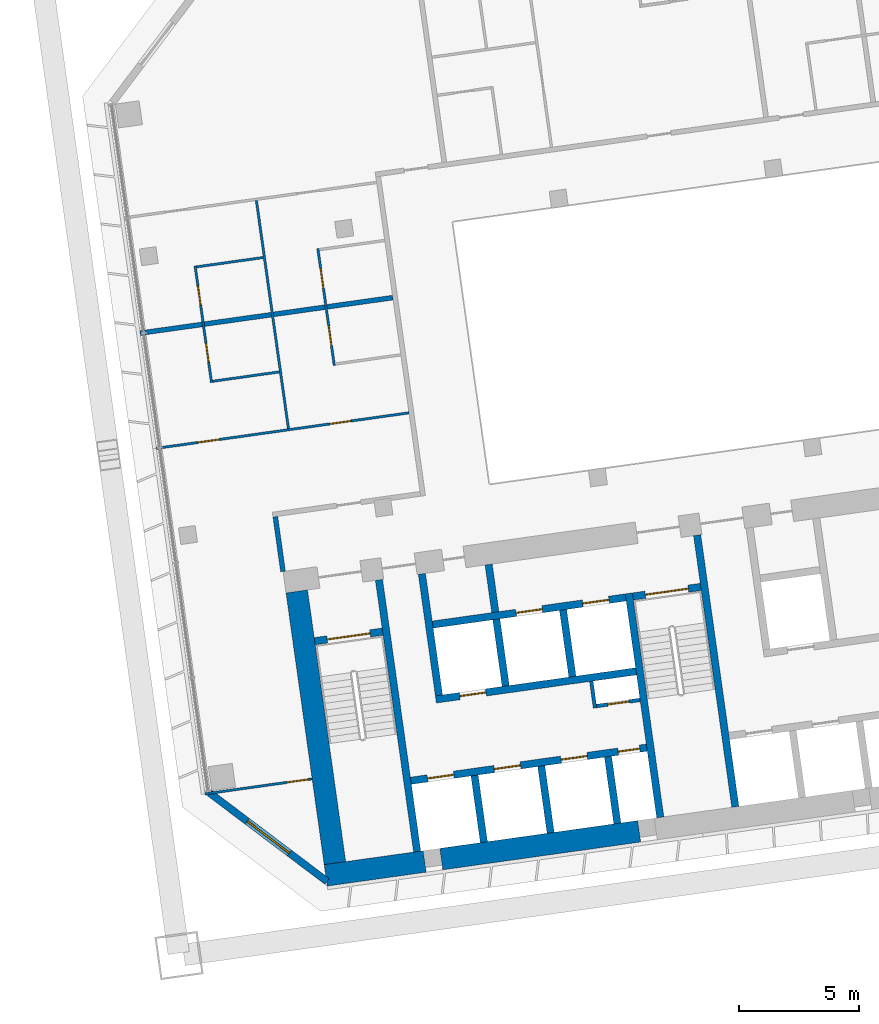
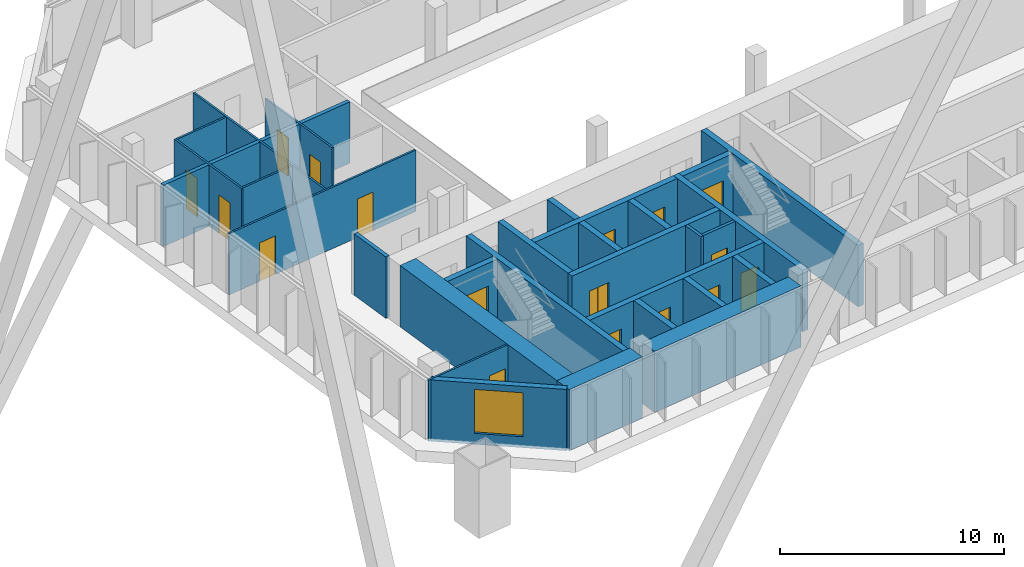
# One storey, part 43 of 49: 30 walls, 17 doors, 1 window, 18 openings.
"""IFC4 building model written with IfcOpenShell, lengths in metres."""

from ifc_helpers import new_model, si_unit, direction, frame, frame_2d, origin, place, context, subcontext, project, spatial, rectangle, extrude, material, layer, layer_set, type_object, element, fill, save


model = new_model("IFC4")

# Units and contexts
model_context = context("Model", 3, precision=1e-05, world=origin(), true_north=direction((0.0, 1.0)))
body_context = subcontext(model_context, "Body", "Model", "MODEL_VIEW")
ifc_project = project(units=[si_unit("LENGTHUNIT", "METRE"), si_unit("AREAUNIT", "SQUARE_METRE"), si_unit("VOLUMEUNIT", "CUBIC_METRE"), si_unit("PLANEANGLEUNIT", "RADIAN"), si_unit("MASSUNIT", "GRAM", prefix="KILO")], contexts=[model_context])

# Site, building, storey
site_placement = place(None, origin())
site = spatial("IfcSite", under=ifc_project, at=site_placement, CompositionType="ELEMENT")
building_placement = place(site_placement, origin())
building = spatial("IfcBuilding", under=site, at=building_placement, Name="Mirante Cascada Hotel Towers", CompositionType="ELEMENT")
storey_placement = place(building_placement, frame((0.0, 0.0, 66.1)))
storey = spatial("IfcBuildingStorey", under=building, at=storey_placement, Name="L13", CompositionType="ELEMENT", Elevation=66.1)

# Walls
ifc_material_1 = material(Name="Fire-rated plasterboard on metal studs")
ifc_layer_1 = layer(ifc_material_1, 0.2)
ifc_layer_set_1 = layer_set([ifc_layer_1], Name="Compartment wall 200 EI 120")
wall_type_1 = type_object("IfcWallType", Name="Compartment wall 200 EI 120", PredefinedType="PARTITIONING", material=ifc_layer_set_1)
wall_1_placement = place(storey_placement, frame((29.3273, 2.7863, 0.0), z_axis=(0.0, 0.0, 1.0), x_axis=(0.9902686, 0.1391691, 0.0)))
element("IfcWall", 1, at=wall_1_placement, inside=storey, type_object=wall_type_1, Name="Wall 2-L13-12", PredefinedType="PARTITIONING", context=body_context, shape_type="SweptSolid", body=[
    extrude(rectangle(XDim=10.6001, YDim=0.2, at=frame_2d((5.3, 0.0))), origin(), (0.0, 0.0, 1.0), 3.35),
])
wall_2_placement = place(storey_placement, frame((35.2634, -7.1173, 0.0), z_axis=(0.0, 0.0, 1.0), x_axis=(-0.1391749, 0.9902678, 0.0)))
element("IfcWall", 2, at=wall_2_placement, inside=storey, type_object=wall_type_1, Name="Wall 2-L13-32", PredefinedType="PARTITIONING", context=body_context, shape_type="SweptSolid", body=[
    extrude(rectangle(XDim=2.3, YDim=0.2, at=frame_2d((1.15, 0.0))), origin(), (0.0, 0.0, 1.0), 3.35),
])
ifc_material_2 = material(Name="Masonry block", Category="masonry")
ifc_layer_2 = layer(ifc_material_2, 0.15)
ifc_layer_set_2 = layer_set([ifc_layer_2], Name="Core room partition 150 block EI 30")
wall_type_2 = type_object("IfcWallType", Name="Core room partition 150 block EI 30", PredefinedType="PARTITIONING", material=ifc_layer_set_2)
wall_3_placement = place(storey_placement, frame((48.2295, -12.793, 0.0), z_axis=(0.0, 0.0, 1.0), x_axis=(-0.1391935, 0.9902652, 0.0)))
element("IfcWall", 3, at=wall_3_placement, inside=storey, type_object=wall_type_2, Name="Core wall partition T2 L13 2", PredefinedType="PARTITIONING", context=body_context, shape_type="SweptSolid", body=[
    extrude(rectangle(XDim=1.1251, YDim=0.15, at=frame_2d((0.5626, 0.0))), origin(), (0.0, 0.0, 1.0), 3.35),
])

# Wall, opening, door
wall_4_placement = place(storey_placement, frame((48.2933, -12.7083, 0.0), z_axis=(0.0, 0.0, 1.0), x_axis=(0.990268, 0.1391734, 0.0)))
wall_4 = element("IfcWall", 4, at=wall_4_placement, inside=storey, type_object=wall_type_2, Name="Core wall partition T2 L13 3", PredefinedType="PARTITIONING", context=body_context, shape_type="SweptSolid", body=[
    extrude(rectangle(XDim=1.8251, YDim=0.15, at=frame_2d((0.9126, 0.0))), origin(), (0.0, 0.0, 1.0), 3.35),
])
opening_1_placement = place(wall_4_placement, frame((0.4625, 0.0, 0.0)))
opening_1 = element("IfcOpeningElement", 5, at=opening_1_placement, cuts=wall_4, Name="Opening D2-13-C23", PredefinedType="OPENING", context=body_context, shape_type="SweptSolid", body=[
    extrude(rectangle(XDim=0.9, YDim=2.1, at=frame_2d((0.45, 1.05))), frame((0.0, 0.075, 0.0), z_axis=(0.0, -1.0, 0.0), x_axis=(1.0, 0.0, 0.0)), (0.0, 0.0, 1.0), 0.15),
])
ifc_material_3 = material(Name="Hollow metal fire door leaf")
door_type_1 = type_object("IfcDoorType", Name="Fire door 900x2100 FD60", OperationType="NOTDEFINED", PredefinedType="DOOR", material=ifc_material_3)
door_1_placement = place(opening_1_placement, frame((0.9, 0.0, 0.0), z_axis=(0.0, 0.0, 1.0), x_axis=(-1.0, 0.0, 0.0)))
door_1 = element("IfcDoor", 6, at=door_1_placement, inside=storey, type_object=door_type_1, Name="Riser door T2 L13 23", OperationType="SINGLE_SWING_RIGHT", OverallHeight=2.1, OverallWidth=0.9, PredefinedType="DOOR", context=body_context, shape_type="SweptSolid", body=[
    extrude(rectangle(XDim=0.9, YDim=2.1, at=frame_2d((0.45, 1.05))), frame((0.0, 0.025, 0.0), z_axis=(0.0, -1.0, 0.0), x_axis=(1.0, 0.0, 0.0)), (0.0, 0.0, 1.0), 0.05),
])
fill(opening_1, door_1)

# Wall
ifc_material_4 = material(Name="Masonry block", Category="masonry")
ifc_layer_3 = layer(ifc_material_4, 0.3)
ifc_layer_set_3 = layer_set([ifc_layer_3], Name="Core wall 300 block EI 120")
wall_type_3 = type_object("IfcWallType", Name="Core wall 300 block EI 120", PredefinedType="PARTITIONING", material=ifc_layer_set_3)
wall_5_placement = place(storey_placement, frame((44.0843, -8.8061, 0.0), z_axis=(0.0, 0.0, 1.0), x_axis=(-0.1391951, 0.990265, 0.0)))
element("IfcWall", 7, at=wall_5_placement, inside=storey, type_object=wall_type_3, Name="Core wall partition T2 L13 1", PredefinedType="PARTITIONING", context=body_context, shape_type="SweptSolid", body=[
    extrude(rectangle(XDim=2.0001, YDim=0.3, at=frame_2d((1.0001, 0.0))), origin(), (0.0, 0.0, 1.0), 3.35),
])

# Wall, opening, door
ifc_material_5 = material(Name="Plasterboard on metal studs")
ifc_layer_4 = layer(ifc_material_5, 0.1)
ifc_layer_set_4 = layer_set([ifc_layer_4], Name="Partition 100")
wall_type_4 = type_object("IfcWallType", Name="Partition 100", PredefinedType="PARTITIONING", material=ifc_layer_set_4)
wall_6_placement = place(storey_placement, frame((36.4742, -15.7326, 0.0), z_axis=(0.0, 0.0, 1.0), x_axis=(-0.9902674, -0.1391779, 0.0)))
wall_6 = element("IfcWall", 8, at=wall_6_placement, inside=storey, type_object=wall_type_4, Name="Wall 2-L13-01", PredefinedType="PARTITIONING", context=body_context, shape_type="SweptSolid", body=[
    extrude(rectangle(XDim=4.5, YDim=0.1, at=frame_2d((2.25, 0.0))), origin(), (0.0, 0.0, 1.0), 3.35),
])
opening_2_placement = place(wall_6_placement, frame((0.15, 0.0, 0.0)))
opening_2 = element("IfcOpeningElement", 9, at=opening_2_placement, cuts=wall_6, Name="Opening D2-L13-01", PredefinedType="OPENING", context=body_context, shape_type="SweptSolid", body=[
    extrude(rectangle(XDim=0.9, YDim=2.1, at=frame_2d((0.45, 1.05))), frame((0.0, 0.05, 0.0), z_axis=(0.0, -1.0, 0.0), x_axis=(1.0, 0.0, 0.0)), (0.0, 0.0, 1.0), 0.1),
])
ifc_material_6 = material(Name="Timber door leaf", Category="wood")
door_type_2 = type_object("IfcDoorType", Name="Room door DG3 900x2100", OperationType="SINGLE_SWING_LEFT", PredefinedType="DOOR", material=ifc_material_6)
door_2_placement = place(opening_2_placement, frame((0.9, 0.0, 0.0), z_axis=(0.0, 0.0, 1.0), x_axis=(-1.0, 0.0, 0.0)))
door_2 = element("IfcDoor", 10, at=door_2_placement, inside=storey, type_object=door_type_2, Name="Door D2-L13-01", OperationType="SINGLE_SWING_RIGHT", OverallHeight=2.1, OverallWidth=0.9, PredefinedType="DOOR", context=body_context, shape_type="SweptSolid", body=[
    extrude(rectangle(XDim=0.9, YDim=2.1, at=frame_2d((0.45, 1.05))), frame((0.0, 0.025, 0.0), z_axis=(0.0, -1.0, 0.0), x_axis=(1.0, 0.0, 0.0)), (0.0, 0.0, 1.0), 0.05),
])
fill(opening_2, door_2)

# Wall, openings, doors
wall_7_placement = place(storey_placement, frame((40.4968, -0.5248, 0.0), z_axis=(0.0, 0.0, 1.0), x_axis=(-0.9902684, -0.1391704, 0.0)))
wall_7 = element("IfcWall", 11, at=wall_7_placement, inside=storey, type_object=wall_type_4, Name="Wall 2-L13-07", PredefinedType="PARTITIONING", context=body_context, shape_type="SweptSolid", body=[
    extrude(rectangle(XDim=10.6, YDim=0.1, at=frame_2d((5.3, 0.0))), origin(), (0.0, 0.0, 1.0), 3.35),
])
opening_3_placement = place(wall_7_placement, frame((7.975, 0.0, 0.0)))
opening_3 = element("IfcOpeningElement", 12, at=opening_3_placement, cuts=wall_7, Name="Opening D2-L13-06", PredefinedType="OPENING", context=body_context, shape_type="SweptSolid", body=[
    extrude(rectangle(XDim=0.9, YDim=2.1, at=frame_2d((0.45, 1.05))), frame((0.0, 0.05, 0.0), z_axis=(0.0, -1.0, 0.0), x_axis=(1.0, 0.0, 0.0)), (0.0, 0.0, 1.0), 0.1),
])
opening_4_placement = place(wall_7_placement, frame((2.425, 0.0, 0.0)))
opening_4 = element("IfcOpeningElement", 13, at=opening_4_placement, cuts=wall_7, Name="Opening D2-L13-07", PredefinedType="OPENING", context=body_context, shape_type="SweptSolid", body=[
    extrude(rectangle(XDim=0.9, YDim=2.1, at=frame_2d((0.45, 1.05))), frame((0.0, 0.05, 0.0), z_axis=(0.0, -1.0, 0.0), x_axis=(1.0, 0.0, 0.0)), (0.0, 0.0, 1.0), 0.1),
])
door_3_placement = place(opening_3_placement, origin())
door_3 = element("IfcDoor", 14, at=door_3_placement, inside=storey, type_object=door_type_2, Name="Door D2-L13-06", OperationType="SINGLE_SWING_LEFT", OverallHeight=2.1, OverallWidth=0.9, PredefinedType="DOOR", context=body_context, shape_type="SweptSolid", body=[
    extrude(rectangle(XDim=0.9, YDim=2.1, at=frame_2d((0.45, 1.05))), frame((0.0, 0.025, 0.0), z_axis=(0.0, -1.0, 0.0), x_axis=(1.0, 0.0, 0.0)), (0.0, 0.0, 1.0), 0.05),
])
fill(opening_3, door_3)
door_4_placement = place(opening_4_placement, origin())
door_4 = element("IfcDoor", 15, at=door_4_placement, inside=storey, type_object=door_type_2, Name="Door D2-L13-07", OperationType="SINGLE_SWING_LEFT", OverallHeight=2.1, OverallWidth=0.9, PredefinedType="DOOR", context=body_context, shape_type="SweptSolid", body=[
    extrude(rectangle(XDim=0.9, YDim=2.1, at=frame_2d((0.45, 1.05))), frame((0.0, 0.025, 0.0), z_axis=(0.0, -1.0, 0.0), x_axis=(1.0, 0.0, 0.0)), (0.0, 0.0, 1.0), 0.05),
])
fill(opening_4, door_4)

# Walls
wall_8_placement = place(storey_placement, frame((32.3351, 0.7854, 0.0), z_axis=(0.0, 0.0, 1.0), x_axis=(0.990267, 0.139181, 0.0)))
element("IfcWall", 16, at=wall_8_placement, inside=storey, type_object=wall_type_4, Name="Wall 2-L13-10", PredefinedType="PARTITIONING", context=body_context, shape_type="SweptSolid", body=[
    extrude(rectangle(XDim=2.8, YDim=0.1, at=frame_2d((1.4, 0.0))), origin(), (0.0, 0.0, 1.0), 3.35),
])
wall_9_placement = place(storey_placement, frame((31.667, 5.5387, 0.0), z_axis=(0.0, 0.0, 1.0), x_axis=(0.9902677, 0.139176, 0.0)))
element("IfcWall", 17, at=wall_9_placement, inside=storey, type_object=wall_type_4, Name="Wall 2-L13-14", PredefinedType="PARTITIONING", context=body_context, shape_type="SweptSolid", body=[
    extrude(rectangle(XDim=2.8001, YDim=0.1, at=frame_2d((1.4, 0.0))), origin(), (0.0, 0.0, 1.0), 3.35),
])

# Wall, openings, doors
wall_10_placement = place(storey_placement, frame((31.6106, 5.5812, 0.0), z_axis=(0.0, 0.0, 1.0), x_axis=(0.1391638, -0.9902694, 0.0)))
wall_10 = element("IfcWall", 18, at=wall_10_placement, inside=storey, type_object=wall_type_4, Name="Wall 2-L13-31", PredefinedType="PARTITIONING", context=body_context, shape_type="SweptSolid", body=[
    extrude(rectangle(XDim=4.9, YDim=0.1, at=frame_2d((2.45, 0.0))), origin(), (0.0, 0.0, 1.0), 3.35),
])
opening_5_placement = place(wall_10_placement, frame((3.25, 0.0, 0.0)))
opening_5 = element("IfcOpeningElement", 19, at=opening_5_placement, cuts=wall_10, Name="Opening D2-L13-30", PredefinedType="OPENING", context=body_context, shape_type="SweptSolid", body=[
    extrude(rectangle(XDim=0.8, YDim=2.1, at=frame_2d((0.4, 1.05))), frame((0.0, 0.05, 0.0), z_axis=(0.0, -1.0, 0.0), x_axis=(1.0, 0.0, 0.0)), (0.0, 0.0, 1.0), 0.1),
])
opening_6_placement = place(wall_10_placement, frame((0.85, 0.0, 0.0)))
opening_6 = element("IfcOpeningElement", 20, at=opening_6_placement, cuts=wall_10, Name="Opening D2-L13-31", PredefinedType="OPENING", context=body_context, shape_type="SweptSolid", body=[
    extrude(rectangle(XDim=0.8, YDim=2.1, at=frame_2d((0.4, 1.05))), frame((0.0, 0.05, 0.0), z_axis=(0.0, -1.0, 0.0), x_axis=(1.0, 0.0, 0.0)), (0.0, 0.0, 1.0), 0.1),
])
ifc_material_7 = material(Name="Timber door leaf", Category="wood")
door_type_3 = type_object("IfcDoorType", Name="Bathroom door DG4 800x2100", OperationType="SINGLE_SWING_LEFT", PredefinedType="DOOR", material=ifc_material_7)
door_5_placement = place(opening_5_placement, origin())
door_5 = element("IfcDoor", 21, at=door_5_placement, inside=storey, type_object=door_type_3, Name="Door D2-L13-30", OperationType="SINGLE_SWING_LEFT", OverallHeight=2.1, OverallWidth=0.8, PredefinedType="DOOR", context=body_context, shape_type="SweptSolid", body=[
    extrude(rectangle(XDim=0.8, YDim=2.1, at=frame_2d((0.4, 1.05))), frame((0.0, 0.025, 0.0), z_axis=(0.0, -1.0, 0.0), x_axis=(1.0, 0.0, 0.0)), (0.0, 0.0, 1.0), 0.05),
])
fill(opening_5, door_5)
door_6_placement = place(opening_6_placement, origin())
door_6 = element("IfcDoor", 22, at=door_6_placement, inside=storey, type_object=door_type_3, Name="Door D2-L13-31", OperationType="SINGLE_SWING_LEFT", OverallHeight=2.1, OverallWidth=0.8, PredefinedType="DOOR", context=body_context, shape_type="SweptSolid", body=[
    extrude(rectangle(XDim=0.8, YDim=2.1, at=frame_2d((0.4, 1.05))), frame((0.0, 0.025, 0.0), z_axis=(0.0, -1.0, 0.0), x_axis=(1.0, 0.0, 0.0)), (0.0, 0.0, 1.0), 0.05),
])
fill(opening_6, door_6)

# Wall
wall_11_placement = place(storey_placement, frame((34.1576, 8.2955, 0.0), z_axis=(0.0, 0.0, 1.0), x_axis=(0.1391703, -0.9902685, 0.0)))
element("IfcWall", 23, at=wall_11_placement, inside=storey, type_object=wall_type_4, Name="Wall 2-L13-33", PredefinedType="PARTITIONING", context=body_context, shape_type="SweptSolid", body=[
    extrude(rectangle(XDim=9.5667, YDim=0.1, at=frame_2d((4.7834, 0.0))), origin(), (0.0, 0.0, 1.0), 3.35),
])

# Wall, openings, doors
wall_12_placement = place(storey_placement, frame((37.3924, 1.4457, 0.0), z_axis=(0.0, 0.0, 1.0), x_axis=(-0.1391638, 0.9902694, 0.0)))
wall_12 = element("IfcWall", 24, at=wall_12_placement, inside=storey, type_object=wall_type_4, Name="Wall 2-L13-34", PredefinedType="PARTITIONING", context=body_context, shape_type="SweptSolid", body=[
    extrude(rectangle(XDim=4.9, YDim=0.1, at=frame_2d((2.45, 0.0))), origin(), (0.0, 0.0, 1.0), 3.35),
])
opening_7_placement = place(wall_12_placement, frame((0.85, 0.0, 0.0)))
opening_7 = element("IfcOpeningElement", 25, at=opening_7_placement, cuts=wall_12, Name="Opening D2-L13-32", PredefinedType="OPENING", context=body_context, shape_type="SweptSolid", body=[
    extrude(rectangle(XDim=0.8, YDim=2.1, at=frame_2d((0.4, 1.05))), frame((0.0, 0.05, 0.0), z_axis=(0.0, -1.0, 0.0), x_axis=(1.0, 0.0, 0.0)), (0.0, 0.0, 1.0), 0.1),
])
opening_8_placement = place(wall_12_placement, frame((3.25, 0.0, 0.0)))
opening_8 = element("IfcOpeningElement", 26, at=opening_8_placement, cuts=wall_12, Name="Opening D2-L13-33", PredefinedType="OPENING", context=body_context, shape_type="SweptSolid", body=[
    extrude(rectangle(XDim=0.8, YDim=2.1, at=frame_2d((0.4, 1.05))), frame((0.0, 0.05, 0.0), z_axis=(0.0, -1.0, 0.0), x_axis=(1.0, 0.0, 0.0)), (0.0, 0.0, 1.0), 0.1),
])
door_7_placement = place(opening_7_placement, frame((0.8, 0.0, 0.0), z_axis=(0.0, 0.0, 1.0), x_axis=(-1.0, 0.0, 0.0)))
door_7 = element("IfcDoor", 27, at=door_7_placement, inside=storey, type_object=door_type_3, Name="Door D2-L13-32", OperationType="SINGLE_SWING_RIGHT", OverallHeight=2.1, OverallWidth=0.8, PredefinedType="DOOR", context=body_context, shape_type="SweptSolid", body=[
    extrude(rectangle(XDim=0.8, YDim=2.1, at=frame_2d((0.4, 1.05))), frame((0.0, 0.025, 0.0), z_axis=(0.0, -1.0, 0.0), x_axis=(1.0, 0.0, 0.0)), (0.0, 0.0, 1.0), 0.05),
])
fill(opening_7, door_7)
door_8_placement = place(opening_8_placement, frame((0.8, 0.0, 0.0), z_axis=(0.0, 0.0, 1.0), x_axis=(-1.0, 0.0, 0.0)))
door_8 = element("IfcDoor", 28, at=door_8_placement, inside=storey, type_object=door_type_3, Name="Door D2-L13-33", OperationType="SINGLE_SWING_RIGHT", OverallHeight=2.1, OverallWidth=0.8, PredefinedType="DOOR", context=body_context, shape_type="SweptSolid", body=[
    extrude(rectangle(XDim=0.8, YDim=2.1, at=frame_2d((0.4, 1.05))), frame((0.0, 0.025, 0.0), z_axis=(0.0, -1.0, 0.0), x_axis=(1.0, 0.0, 0.0)), (0.0, 0.0, 1.0), 0.05),
])
fill(opening_8, door_8)

# Wall, opening, window
ifc_material_8 = material(Name="Precast concrete C40/50", Category="concrete")
ifc_layer_5 = layer(ifc_material_8, 0.3)
ifc_layer_set_5 = layer_set([ifc_layer_5], Name="Precast concrete C40/50 cladding wall 300")
wall_type_5 = type_object("IfcWallType", Name="Precast concrete C40/50 cladding wall 300", PredefinedType="STANDARD", material=ifc_layer_set_5)
wall_13_placement = place(storey_placement, frame((32.2074, -16.3138, 0.0), z_axis=(0.0, 0.0, 1.0), x_axis=(0.7986362, -0.6018141, 0.0)))
wall_13 = element("IfcWall", 29, at=wall_13_placement, inside=storey, type_object=wall_type_5, Name="Corner cladding wall T2 L13 inner rear", PredefinedType="STANDARD", context=body_context, shape_type="SweptSolid", body=[
    extrude(rectangle(XDim=6.1157, YDim=0.3, at=frame_2d((3.0578, 0.0))), origin(), (0.0, 0.0, 1.0), 3.35),
])
opening_9_placement = place(wall_13_placement, frame((1.9578, 0.0, 0.6)))
opening_9 = element("IfcOpeningElement", 30, at=opening_9_placement, cuts=wall_13, Name="Opening W2-13-05", PredefinedType="OPENING", context=body_context, shape_type="SweptSolid", body=[
    extrude(rectangle(XDim=2.2, YDim=2.4, at=frame_2d((1.1, 1.2))), frame((0.0, 0.15, 0.0), z_axis=(0.0, -1.0, 0.0), x_axis=(1.0, 0.0, 0.0)), (0.0, 0.0, 1.0), 0.3),
])
ifc_material_9 = material(Name="Aluminium frame with clear double glazing", Category="aluminium")
window_type = type_object("IfcWindowType", Name="Corner suite window 2200x2400", PartitioningType="DOUBLE_PANEL_VERTICAL", PredefinedType="WINDOW", material=ifc_material_9)
window_placement = place(opening_9_placement, origin())
window = element("IfcWindow", 31, at=window_placement, inside=storey, type_object=window_type, Name="Window W2-13-05", OverallHeight=2.4, OverallWidth=2.2, PartitioningType="SINGLE_PANEL", PredefinedType="WINDOW", context=body_context, shape_type="SweptSolid", body=[
    extrude(rectangle(XDim=2.2, YDim=2.4, at=frame_2d((1.1, 1.2))), frame((0.0, 0.03, 0.0), z_axis=(0.0, -1.0, 0.0), x_axis=(1.0, 0.0, 0.0)), (0.0, 0.0, 1.0), 0.06),
])
fill(opening_9, window)

# Walls
ifc_material_10 = material(Name="Concrete C50/60", Category="concrete")
ifc_layer_6 = layer(ifc_material_10, 0.3)
ifc_layer_set_6 = layer_set([ifc_layer_6], Name="RC core wall 300 C50/60")
wall_type_6 = type_object("IfcWallType", Name="RC core wall 300 C50/60", PredefinedType="SHEAR", material=ifc_layer_set_6)
wall_14_placement = place(storey_placement, frame((40.8373, -18.7548, 0.0), z_axis=(0.0, 0.0, 1.0), x_axis=(-0.1391749, 0.9902678, 0.0)))
element("IfcWall", 32, at=wall_14_placement, inside=storey, type_object=wall_type_6, Name="Core wall T2:L13:5", PredefinedType="SHEAR", context=body_context, shape_type="SweptSolid", body=[
    extrude(rectangle(XDim=11.4, YDim=0.3, at=frame_2d((5.7, 0.0))), origin(), (0.0, 0.0, 1.0), 3.35),
])
wall_15_placement = place(storey_placement, frame((50.938, -17.3352, 0.0), z_axis=(0.0, 0.0, 1.0), x_axis=(-0.1391706, 0.9902684, 0.0)))
element("IfcWall", 33, at=wall_15_placement, inside=storey, type_object=wall_type_6, Name="Core wall T2:L13:6", PredefinedType="SHEAR", context=body_context, shape_type="SweptSolid", body=[
    extrude(rectangle(XDim=9.4, YDim=0.3, at=frame_2d((4.7, 0.0))), origin(), (0.0, 0.0, 1.0), 3.35),
])
wall_16_placement = place(storey_placement, frame((54.0574, -16.8968, 0.0), z_axis=(0.0, 0.0, 1.0), x_axis=(-0.1391761, 0.9902677, 0.0)))
element("IfcWall", 34, at=wall_16_placement, inside=storey, type_object=wall_type_6, Name="Core wall T2:L13:7", PredefinedType="SHEAR", context=body_context, shape_type="SweptSolid", body=[
    extrude(rectangle(XDim=11.3999, YDim=0.3, at=frame_2d((5.7, 0.0))), origin(), (0.0, 0.0, 1.0), 3.35),
])

# Wall, opening, door
wall_17_placement = place(storey_placement, frame((36.5791, -10.0123, 0.0), z_axis=(0.0, 0.0, 1.0), x_axis=(0.9902704, 0.1391564, 0.0)))
wall_17 = element("IfcWall", 35, at=wall_17_placement, inside=storey, type_object=wall_type_6, Name="Core wall T2:L13:9", PredefinedType="SHEAR", context=body_context, shape_type="SweptSolid", body=[
    extrude(rectangle(XDim=2.85, YDim=0.3, at=frame_2d((1.425, 0.0))), origin(), (0.0, 0.0, 1.0), 3.35),
])
opening_10_placement = place(wall_17_placement, frame((0.525, 0.0, 0.0)))
opening_10 = element("IfcOpeningElement", 36, at=opening_10_placement, cuts=wall_17, Name="Opening D2-13-C13", PredefinedType="OPENING", context=body_context, shape_type="SweptSolid", body=[
    extrude(rectangle(XDim=1.8, YDim=2.1, at=frame_2d((0.9, 1.05))), frame((0.0, 0.15, 0.0), z_axis=(0.0, -1.0, 0.0), x_axis=(1.0, 0.0, 0.0)), (0.0, 0.0, 1.0), 0.3),
])
ifc_material_11 = material(Name="Hollow metal fire door leaf")
door_type_4 = type_object("IfcDoorType", Name="Double fire door 1800x2100 FD60", OperationType="DOUBLE_DOOR_SINGLE_SWING", PredefinedType="DOOR", material=ifc_material_11)
door_9_placement = place(opening_10_placement, frame((1.8, 0.0, 0.0), z_axis=(0.0, 0.0, 1.0), x_axis=(-1.0, 0.0, 0.0)))
door_9 = element("IfcDoor", 37, at=door_9_placement, inside=storey, type_object=door_type_4, Name="Stair door T2 L13 13", OperationType="DOUBLE_DOOR_SINGLE_SWING", OverallHeight=2.1, OverallWidth=1.8, PredefinedType="DOOR", context=body_context, shape_type="SweptSolid", body=[
    extrude(rectangle(XDim=0.895, YDim=2.1, at=frame_2d((0.4475, 1.05))), frame((0.0, 0.025, 0.0), z_axis=(0.0, -1.0, 0.0), x_axis=(1.0, 0.0, 0.0)), (0.0, 0.0, 1.0), 0.05),
    extrude(rectangle(XDim=0.895, YDim=2.1, at=frame_2d((1.3525, 1.05))), frame((0.0, 0.025, 0.0), z_axis=(0.0, -1.0, 0.0), x_axis=(1.0, 0.0, 0.0)), (0.0, 0.0, 1.0), 0.05),
])
fill(opening_10, door_9)

wall_18_placement = place(storey_placement, frame((49.7992, -8.1544, 0.0), z_axis=(0.0, 0.0, 1.0), x_axis=(0.9902656, 0.1391909, 0.0)))
wall_18 = element("IfcWall", 38, at=wall_18_placement, inside=storey, type_object=wall_type_6, Name="Core wall T2:L13:10", PredefinedType="SHEAR", context=body_context, shape_type="SweptSolid", body=[
    extrude(rectangle(XDim=2.85, YDim=0.3, at=frame_2d((1.425, 0.0))), origin(), (0.0, 0.0, 1.0), 3.35),
])
opening_11_placement = place(wall_18_placement, frame((0.525, 0.0, 0.0)))
opening_11 = element("IfcOpeningElement", 39, at=opening_11_placement, cuts=wall_18, Name="Opening D2-13-C15", PredefinedType="OPENING", context=body_context, shape_type="SweptSolid", body=[
    extrude(rectangle(XDim=1.8, YDim=2.1, at=frame_2d((0.9, 1.05))), frame((0.0, 0.15, 0.0), z_axis=(0.0, -1.0, 0.0), x_axis=(1.0, 0.0, 0.0)), (0.0, 0.0, 1.0), 0.3),
])
door_10_placement = place(opening_11_placement, frame((1.8, 0.0, 0.0), z_axis=(0.0, 0.0, 1.0), x_axis=(-1.0, 0.0, 0.0)))
door_10 = element("IfcDoor", 40, at=door_10_placement, inside=storey, type_object=door_type_4, Name="Stair door T2 L13 15", OperationType="DOUBLE_DOOR_SINGLE_SWING", OverallHeight=2.1, OverallWidth=1.8, PredefinedType="DOOR", context=body_context, shape_type="SweptSolid", body=[
    extrude(rectangle(XDim=0.895, YDim=2.1, at=frame_2d((0.4475, 1.05))), frame((0.0, 0.025, 0.0), z_axis=(0.0, -1.0, 0.0), x_axis=(1.0, 0.0, 0.0)), (0.0, 0.0, 1.0), 0.05),
    extrude(rectangle(XDim=0.895, YDim=2.1, at=frame_2d((1.3525, 1.05))), frame((0.0, 0.025, 0.0), z_axis=(0.0, -1.0, 0.0), x_axis=(1.0, 0.0, 0.0)), (0.0, 0.0, 1.0), 0.05),
])
fill(opening_11, door_10)

# Wall, openings, doors
wall_19_placement = place(storey_placement, frame((40.5753, -15.8126, 0.0), z_axis=(0.0, 0.0, 1.0), x_axis=(0.9902682, 0.1391725, 0.0)))
wall_19 = element("IfcWall", 41, at=wall_19_placement, inside=storey, type_object=wall_type_6, Name="Core wall T2:L13:12", PredefinedType="SHEAR", context=body_context, shape_type="SweptSolid", body=[
    extrude(rectangle(XDim=9.8999, YDim=0.3, at=frame_2d((4.95, 0.0))), origin(), (0.0, 0.0, 1.0), 3.35),
])
opening_12_placement = place(wall_19_placement, frame((0.7, 0.0, 0.0)))
opening_12 = element("IfcOpeningElement", 42, at=opening_12_placement, cuts=wall_19, Name="Opening LD", PredefinedType="OPENING", context=body_context, shape_type="SweptSolid", body=[
    extrude(rectangle(XDim=1.1, YDim=2.1, at=frame_2d((0.55, 1.05))), frame((0.0, 0.15, 0.0), z_axis=(0.0, -1.0, 0.0), x_axis=(1.0, 0.0, 0.0)), (0.0, 0.0, 1.0), 0.3),
])
opening_13_placement = place(wall_19_placement, frame((3.5, 0.0, 0.0)))
opening_13 = element("IfcOpeningElement", 43, at=opening_13_placement, cuts=wall_19, Name="Opening LD", PredefinedType="OPENING", context=body_context, shape_type="SweptSolid", body=[
    extrude(rectangle(XDim=1.1, YDim=2.1, at=frame_2d((0.55, 1.05))), frame((0.0, 0.15, 0.0), z_axis=(0.0, -1.0, 0.0), x_axis=(1.0, 0.0, 0.0)), (0.0, 0.0, 1.0), 0.3),
])
opening_14_placement = place(wall_19_placement, frame((6.3, 0.0, 0.0)))
opening_14 = element("IfcOpeningElement", 44, at=opening_14_placement, cuts=wall_19, Name="Opening LD", PredefinedType="OPENING", context=body_context, shape_type="SweptSolid", body=[
    extrude(rectangle(XDim=1.1, YDim=2.1, at=frame_2d((0.55, 1.05))), frame((0.0, 0.15, 0.0), z_axis=(0.0, -1.0, 0.0), x_axis=(1.0, 0.0, 0.0)), (0.0, 0.0, 1.0), 0.3),
])
opening_15_placement = place(wall_19_placement, frame((8.7, 0.0, 0.0)))
opening_15 = element("IfcOpeningElement", 45, at=opening_15_placement, cuts=wall_19, Name="Opening D2-13-C22", PredefinedType="OPENING", context=body_context, shape_type="SweptSolid", body=[
    extrude(rectangle(XDim=0.9, YDim=2.1, at=frame_2d((0.45, 1.05))), frame((0.0, 0.15, 0.0), z_axis=(0.0, -1.0, 0.0), x_axis=(1.0, 0.0, 0.0)), (0.0, 0.0, 1.0), 0.3),
])
door_11_placement = place(opening_15_placement, frame((0.9, 0.0, 0.0), z_axis=(0.0, 0.0, 1.0), x_axis=(-1.0, 0.0, 0.0)))
door_11 = element("IfcDoor", 46, at=door_11_placement, inside=storey, type_object=door_type_1, Name="Riser door T2 L13 22", OperationType="SINGLE_SWING_RIGHT", OverallHeight=2.1, OverallWidth=0.9, PredefinedType="DOOR", context=body_context, shape_type="SweptSolid", body=[
    extrude(rectangle(XDim=0.9, YDim=2.1, at=frame_2d((0.45, 1.05))), frame((0.0, 0.025, 0.0), z_axis=(0.0, -1.0, 0.0), x_axis=(1.0, 0.0, 0.0)), (0.0, 0.0, 1.0), 0.05),
])
fill(opening_15, door_11)
ifc_material_12 = material(Name="Stainless steel", Category="steel")
door_type_5 = type_object("IfcDoorType", Name="Lift landing door 1100x2100 EI 120", OperationType="DOUBLE_DOOR_SLIDING", PredefinedType="DOOR", material=ifc_material_12)
door_12_placement = place(opening_12_placement, origin())
door_12 = element("IfcDoor", 47, at=door_12_placement, inside=storey, type_object=door_type_5, Name="Lift landing door HR2-1 L13", OperationType="DOUBLE_DOOR_SLIDING", OverallHeight=2.1, OverallWidth=1.1, PredefinedType="DOOR", context=body_context, shape_type="SweptSolid", body=[
    extrude(rectangle(XDim=0.545, YDim=2.1, at=frame_2d((0.2725, 1.05))), frame((0.0, 0.025, 0.0), z_axis=(0.0, -1.0, 0.0), x_axis=(1.0, 0.0, 0.0)), (0.0, 0.0, 1.0), 0.05),
    extrude(rectangle(XDim=0.545, YDim=2.1, at=frame_2d((0.8275, 1.05))), frame((0.0, 0.025, 0.0), z_axis=(0.0, -1.0, 0.0), x_axis=(1.0, 0.0, 0.0)), (0.0, 0.0, 1.0), 0.05),
])
fill(opening_12, door_12)
door_13_placement = place(opening_13_placement, origin())
door_13 = element("IfcDoor", 48, at=door_13_placement, inside=storey, type_object=door_type_5, Name="Lift landing door HR2-2 L13", OperationType="DOUBLE_DOOR_SLIDING", OverallHeight=2.1, OverallWidth=1.1, PredefinedType="DOOR", context=body_context, shape_type="SweptSolid", body=[
    extrude(rectangle(XDim=0.545, YDim=2.1, at=frame_2d((0.2725, 1.05))), frame((0.0, 0.025, 0.0), z_axis=(0.0, -1.0, 0.0), x_axis=(1.0, 0.0, 0.0)), (0.0, 0.0, 1.0), 0.05),
    extrude(rectangle(XDim=0.545, YDim=2.1, at=frame_2d((0.8275, 1.05))), frame((0.0, 0.025, 0.0), z_axis=(0.0, -1.0, 0.0), x_axis=(1.0, 0.0, 0.0)), (0.0, 0.0, 1.0), 0.05),
])
fill(opening_13, door_13)
door_14_placement = place(opening_14_placement, origin())
door_14 = element("IfcDoor", 49, at=door_14_placement, inside=storey, type_object=door_type_5, Name="Lift landing door HR2-3 L13", OperationType="DOUBLE_DOOR_SLIDING", OverallHeight=2.1, OverallWidth=1.1, PredefinedType="DOOR", context=body_context, shape_type="SweptSolid", body=[
    extrude(rectangle(XDim=0.545, YDim=2.1, at=frame_2d((0.2725, 1.05))), frame((0.0, 0.025, 0.0), z_axis=(0.0, -1.0, 0.0), x_axis=(1.0, 0.0, 0.0)), (0.0, 0.0, 1.0), 0.05),
    extrude(rectangle(XDim=0.545, YDim=2.1, at=frame_2d((0.8275, 1.05))), frame((0.0, 0.025, 0.0), z_axis=(0.0, -1.0, 0.0), x_axis=(1.0, 0.0, 0.0)), (0.0, 0.0, 1.0), 0.05),
])
fill(opening_14, door_14)

# Wall, opening, door
wall_20_placement = place(storey_placement, frame((41.6153, -12.435, 0.0), z_axis=(0.0, 0.0, 1.0), x_axis=(0.9902691, 0.139166, 0.0)))
wall_20 = element("IfcWall", 50, at=wall_20_placement, inside=storey, type_object=wall_type_6, Name="Core wall T2:L13:13", PredefinedType="SHEAR", context=body_context, shape_type="SweptSolid", body=[
    extrude(rectangle(XDim=8.4, YDim=0.3, at=frame_2d((4.2, 0.0))), origin(), (0.0, 0.0, 1.0), 3.35),
])
opening_16_placement = place(wall_20_placement, frame((1.0, 0.0, 0.0)))
opening_16 = element("IfcOpeningElement", 51, at=opening_16_placement, cuts=wall_20, Name="Opening LD", PredefinedType="OPENING", context=body_context, shape_type="SweptSolid", body=[
    extrude(rectangle(XDim=1.1, YDim=2.1, at=frame_2d((0.55, 1.05))), frame((0.0, 0.15, 0.0), z_axis=(0.0, -1.0, 0.0), x_axis=(1.0, 0.0, 0.0)), (0.0, 0.0, 1.0), 0.3),
])
door_15_placement = place(opening_16_placement, origin())
door_15 = element("IfcDoor", 52, at=door_15_placement, inside=storey, type_object=door_type_5, Name="Lift landing door HR2-4 L13", OperationType="DOUBLE_DOOR_SLIDING", OverallHeight=2.1, OverallWidth=1.1, PredefinedType="DOOR", context=body_context, shape_type="SweptSolid", body=[
    extrude(rectangle(XDim=0.545, YDim=2.1, at=frame_2d((0.2725, 1.05))), frame((0.0, 0.025, 0.0), z_axis=(0.0, -1.0, 0.0), x_axis=(1.0, 0.0, 0.0)), (0.0, 0.0, 1.0), 0.05),
    extrude(rectangle(XDim=0.545, YDim=2.1, at=frame_2d((0.8275, 1.05))), frame((0.0, 0.025, 0.0), z_axis=(0.0, -1.0, 0.0), x_axis=(1.0, 0.0, 0.0)), (0.0, 0.0, 1.0), 0.05),
])
fill(opening_16, door_15)

# Wall, openings, doors
wall_21_placement = place(storey_placement, frame((41.481, -9.3234, 0.0), z_axis=(0.0, 0.0, 1.0), x_axis=(0.9902679, 0.1391741, 0.0)))
wall_21 = element("IfcWall", 53, at=wall_21_placement, inside=storey, type_object=wall_type_6, Name="Core wall T2:L13:14", PredefinedType="SHEAR", context=body_context, shape_type="SweptSolid", body=[
    extrude(rectangle(XDim=8.0999, YDim=0.3, at=frame_2d((4.05, 0.0))), origin(), (0.0, 0.0, 1.0), 3.35),
])
opening_17_placement = place(wall_21_placement, frame((3.5, 0.0, 0.0)))
opening_17 = element("IfcOpeningElement", 54, at=opening_17_placement, cuts=wall_21, Name="Opening LD", PredefinedType="OPENING", context=body_context, shape_type="SweptSolid", body=[
    extrude(rectangle(XDim=1.1, YDim=2.1, at=frame_2d((0.55, 1.05))), frame((0.0, 0.15, 0.0), z_axis=(0.0, -1.0, 0.0), x_axis=(1.0, 0.0, 0.0)), (0.0, 0.0, 1.0), 0.3),
])
opening_18_placement = place(wall_21_placement, frame((6.3, 0.0, 0.0)))
opening_18 = element("IfcOpeningElement", 55, at=opening_18_placement, cuts=wall_21, Name="Opening LD", PredefinedType="OPENING", context=body_context, shape_type="SweptSolid", body=[
    extrude(rectangle(XDim=1.1, YDim=2.1, at=frame_2d((0.55, 1.05))), frame((0.0, 0.15, 0.0), z_axis=(0.0, -1.0, 0.0), x_axis=(1.0, 0.0, 0.0)), (0.0, 0.0, 1.0), 0.3),
])
door_16_placement = place(opening_17_placement, origin())
door_16 = element("IfcDoor", 56, at=door_16_placement, inside=storey, type_object=door_type_5, Name="Lift landing door FF3 L13", OperationType="DOUBLE_DOOR_SLIDING", OverallHeight=2.1, OverallWidth=1.1, PredefinedType="DOOR", context=body_context, shape_type="SweptSolid", body=[
    extrude(rectangle(XDim=0.545, YDim=2.1, at=frame_2d((0.2725, 1.05))), frame((0.0, 0.025, 0.0), z_axis=(0.0, -1.0, 0.0), x_axis=(1.0, 0.0, 0.0)), (0.0, 0.0, 1.0), 0.05),
    extrude(rectangle(XDim=0.545, YDim=2.1, at=frame_2d((0.8275, 1.05))), frame((0.0, 0.025, 0.0), z_axis=(0.0, -1.0, 0.0), x_axis=(1.0, 0.0, 0.0)), (0.0, 0.0, 1.0), 0.05),
])
fill(opening_17, door_16)
door_17_placement = place(opening_18_placement, origin())
door_17 = element("IfcDoor", 57, at=door_17_placement, inside=storey, type_object=door_type_5, Name="Lift landing door FF4 L13", OperationType="DOUBLE_DOOR_SLIDING", OverallHeight=2.1, OverallWidth=1.1, PredefinedType="DOOR", context=body_context, shape_type="SweptSolid", body=[
    extrude(rectangle(XDim=0.545, YDim=2.1, at=frame_2d((0.2725, 1.05))), frame((0.0, 0.025, 0.0), z_axis=(0.0, -1.0, 0.0), x_axis=(1.0, 0.0, 0.0)), (0.0, 0.0, 1.0), 0.05),
    extrude(rectangle(XDim=0.545, YDim=2.1, at=frame_2d((0.8275, 1.05))), frame((0.0, 0.025, 0.0), z_axis=(0.0, -1.0, 0.0), x_axis=(1.0, 0.0, 0.0)), (0.0, 0.0, 1.0), 0.05),
])
fill(opening_18, door_17)

# Walls
wall_22_placement = place(storey_placement, frame((43.61, -18.3651, 0.0), z_axis=(0.0, 0.0, 1.0), x_axis=(-0.1391459, 0.9902719, 0.0)))
element("IfcWall", 58, at=wall_22_placement, inside=storey, type_object=wall_type_6, Name="Core wall T2:L13:15", PredefinedType="SHEAR", context=body_context, shape_type="SweptSolid", body=[
    extrude(rectangle(XDim=2.7999, YDim=0.3, at=frame_2d((1.4, 0.0))), origin(), (0.0, 0.0, 1.0), 3.35),
])
wall_23_placement = place(storey_placement, frame((46.3828, -17.9754, 0.0), z_axis=(0.0, 0.0, 1.0), x_axis=(-0.139181, 0.990267, 0.0)))
element("IfcWall", 59, at=wall_23_placement, inside=storey, type_object=wall_type_6, Name="Core wall T2:L13:16", PredefinedType="SHEAR", context=body_context, shape_type="SweptSolid", body=[
    extrude(rectangle(XDim=2.8, YDim=0.3, at=frame_2d((1.4, 0.0))), origin(), (0.0, 0.0, 1.0), 3.35),
])
wall_24_placement = place(storey_placement, frame((49.1555, -17.5857, 0.0), z_axis=(0.0, 0.0, 1.0), x_axis=(-0.1391459, 0.9902719, 0.0)))
element("IfcWall", 60, at=wall_24_placement, inside=storey, type_object=wall_type_6, Name="Core wall T2:L13:17", PredefinedType="SHEAR", context=body_context, shape_type="SweptSolid", body=[
    extrude(rectangle(XDim=2.7999, YDim=0.3, at=frame_2d((1.4, 0.0))), origin(), (0.0, 0.0, 1.0), 3.35),
])
for number, where, z_axis, x_axis, name in (
    (61, (44.5157, -11.8759, 0.0), (0.0, 0.0, 1.0), (-0.139181, 0.990267, 0.0), "Core wall T2:L13:18"),
    (62, (47.2885, -11.4862, 0.0), (0.0, 0.0, 1.0), (-0.139181, 0.990267, 0.0), "Core wall T2:L13:19"),
):
    element("IfcWall", number, at=place(storey_placement, frame(where, z_axis=z_axis, x_axis=x_axis)), inside=storey, type_object=wall_type_6, Name=name, PredefinedType="SHEAR", context=body_context, shape_type="SweptSolid", body=[
        extrude(rectangle(XDim=2.8, YDim=0.3, at=frame_2d((1.4, 0.0))), origin(), (0.0, 0.0, 1.0), 3.35),
    ])
wall_25_placement = place(storey_placement, frame((41.743, -12.2656, 0.0), z_axis=(0.0, 0.0, 1.0), x_axis=(-0.1391755, 0.9902677, 0.0)))
element("IfcWall", 63, at=wall_25_placement, inside=storey, type_object=wall_type_6, Name="Core wall T2:L13:20", PredefinedType="SHEAR", context=body_context, shape_type="SweptSolid", body=[
    extrude(rectangle(XDim=5.1, YDim=0.3, at=frame_2d((2.55, 0.0))), origin(), (0.0, 0.0, 1.0), 3.35),
])
ifc_material_13 = material(Name="Concrete C50/60", Category="concrete")
ifc_layer_7 = layer(ifc_material_13, 0.9)
ifc_layer_set_7 = layer_set([ifc_layer_7], Name="RC core wall 900 C50/60")
wall_type_7 = type_object("IfcWallType", Name="RC core wall 900 C50/60", PredefinedType="SHEAR", material=ifc_layer_set_7)
wall_26_placement = place(storey_placement, frame((37.0379, -19.7432, 0.0), z_axis=(0.0, 0.0, 1.0), x_axis=(0.990267, 0.139181, 0.0)))
element("IfcWall", 64, at=wall_26_placement, inside=storey, type_object=wall_type_7, Name="Core wall T2:L13:1.1", PredefinedType="SHEAR", context=body_context, shape_type="SweptSolid", body=[
    extrude(rectangle(XDim=4.15, YDim=0.9, at=frame_2d((2.075, 0.0))), origin(), (0.0, 0.0, 1.0), 3.35),
])
wall_27_placement = place(storey_placement, frame((41.8407, -19.0682, 0.0), z_axis=(0.0, 0.0, 1.0), x_axis=(0.9902686, 0.1391692, 0.0)))
element("IfcWall", 65, at=wall_27_placement, inside=storey, type_object=wall_type_7, Name="Core wall T2:L13:1.2", PredefinedType="SHEAR", context=body_context, shape_type="SweptSolid", body=[
    extrude(rectangle(XDim=8.3, YDim=0.9, at=frame_2d((4.15, 0.0))), origin(), (0.0, 0.0, 1.0), 3.35),
])
wall_28_placement = place(storey_placement, frame((37.4209, -19.2349, 0.0), z_axis=(0.0, 0.0, 1.0), x_axis=(-0.1391761, 0.9902677, 0.0)))
element("IfcWall", 66, at=wall_28_placement, inside=storey, type_object=wall_type_7, Name="Core wall T2:L13:3", PredefinedType="SHEAR", context=body_context, shape_type="SweptSolid", body=[
    extrude(rectangle(XDim=11.3999, YDim=0.9, at=frame_2d((5.7, 0.0))), origin(), (0.0, 0.0, 1.0), 3.35),
])

save(model, "model.ifc")
